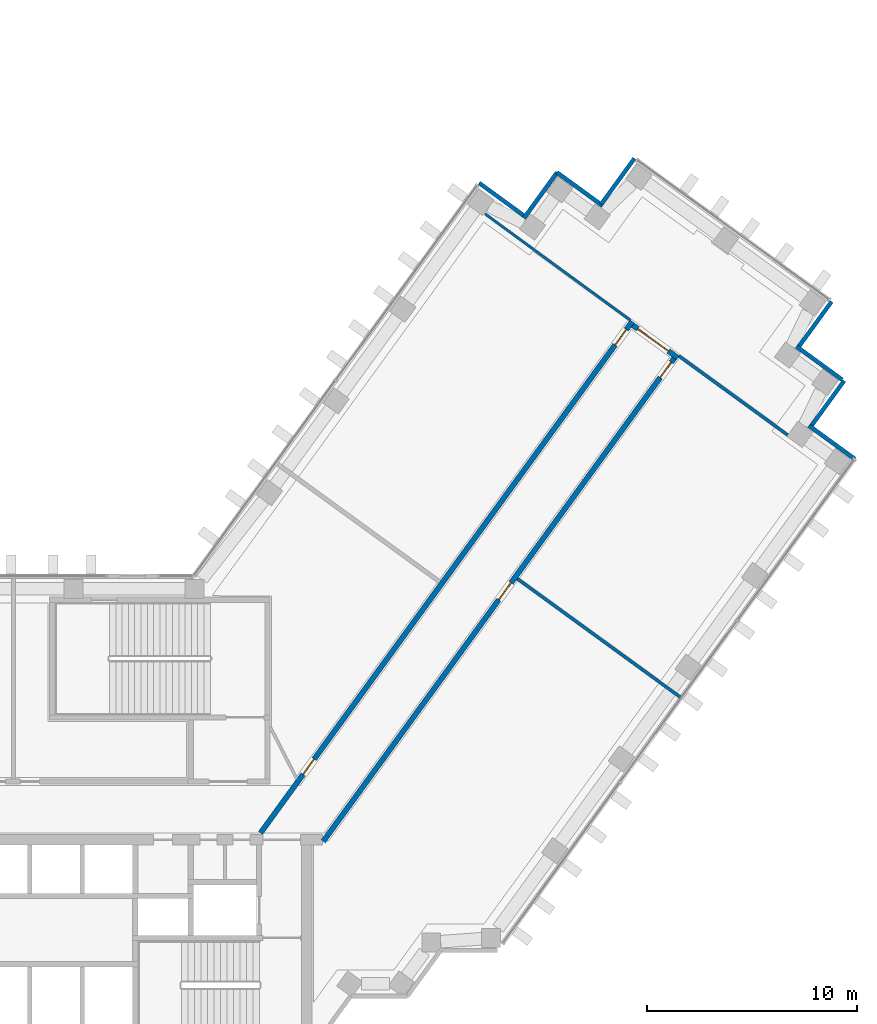
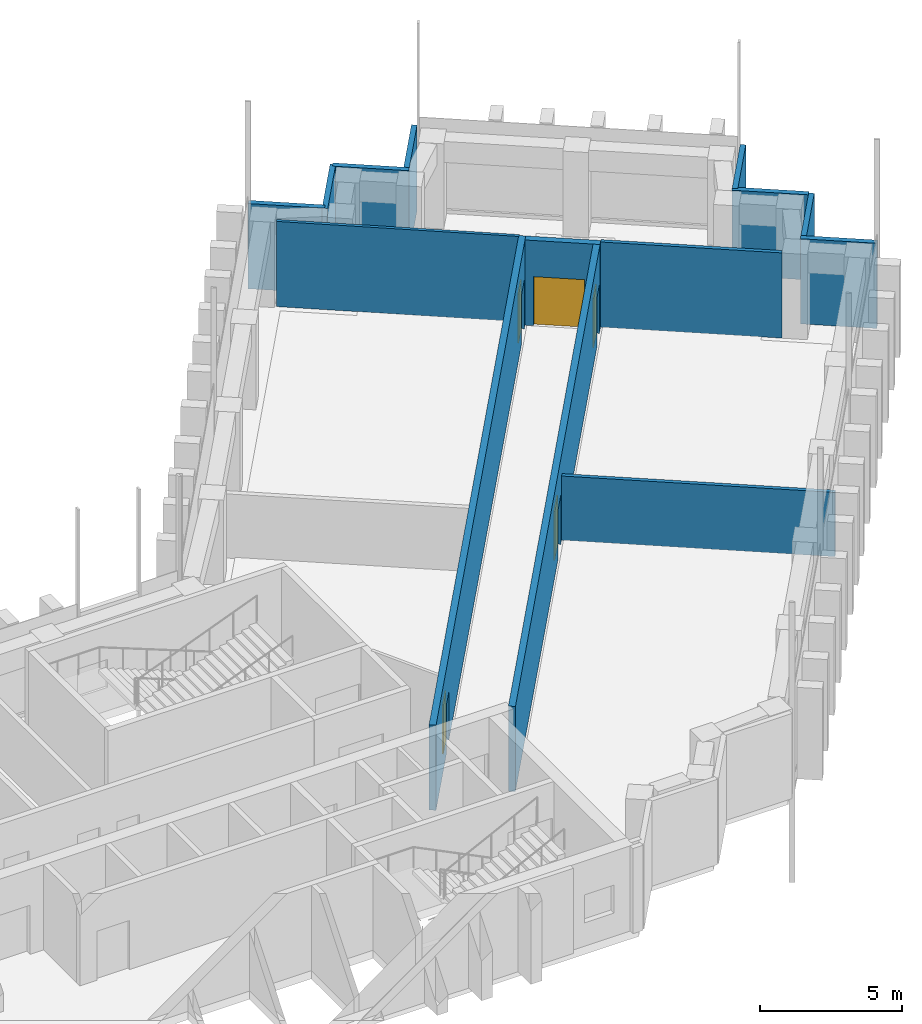
# One storey, part 13 of 16: 14 walls, 5 doors, 5 openings.
"""IFC4 building model written with IfcOpenShell, lengths in metres."""

from ifc_helpers import new_model, si_unit, direction, frame, frame_2d, origin, place, context, subcontext, project, spatial, rectangle, extrude, material, layer, layer_set, type_object, element, fill, save


model = new_model("IFC4")

# Units and contexts
model_context = context("Model", 3, precision=1e-05, world=origin(), true_north=direction((0.0, 1.0)))
body_context = subcontext(model_context, "Body", "Model", "MODEL_VIEW")
ifc_project = project(units=[si_unit("LENGTHUNIT", "METRE"), si_unit("AREAUNIT", "SQUARE_METRE"), si_unit("VOLUMEUNIT", "CUBIC_METRE"), si_unit("PLANEANGLEUNIT", "RADIAN"), si_unit("MASSUNIT", "GRAM", prefix="KILO")], contexts=[model_context])

# Site, building, storey
site_placement = place(None, origin())
site = spatial("IfcSite", under=ifc_project, at=site_placement, CompositionType="ELEMENT")
building_placement = place(site_placement, origin())
building = spatial("IfcBuilding", under=site, at=building_placement, Name="Quipu Civic Tower", CompositionType="ELEMENT")
storey_placement = place(building_placement, frame((0.0, 0.0, 125.0)))
storey = spatial("IfcBuildingStorey", under=building, at=storey_placement, Name="L29", CompositionType="ELEMENT", Elevation=125.0)

# Walls
ifc_material_1 = material(Name="Double gypsum plasterboard with mineral wool")
ifc_layer_1 = layer(ifc_material_1, 0.14990234375)
ifc_layer_set_1 = layer_set([ifc_layer_1], Name="Double gypsum plasterboard with mineral wool")
wall_type_1 = type_object("IfcWallType", Name="Acoustic partition 150 plasterboard", PredefinedType="PARTITIONING", material=ifc_layer_set_1)
wall_1_placement = place(storey_placement, frame((37.577392578125, 5.30712890625, 0.0), z_axis=(0.0, 0.0, 1.0), x_axis=(-0.809032429128, 0.587764007591, 0.0)))
element("IfcWall", 1, at=wall_1_placement, inside=storey, type_object=wall_type_1, Name="Partition P03", PredefinedType="PARTITIONING", context=body_context, shape_type="SweptSolid", body=[
    extrude(rectangle(XDim=9.651123046875, YDim=0.14990234375, at=frame_2d((4.82568359375, 0.0))), origin(), (0.0, 0.0, 1.0), 2.75),
])
wall_2_placement = place(storey_placement, frame((42.6455078125, 17.822998046875, 0.0), z_axis=(0.0, 0.0, 1.0), x_axis=(-0.80900675786, 0.587799341388, 0.0)))
element("IfcWall", 2, at=wall_2_placement, inside=storey, type_object=wall_type_1, Name="Partition P06", PredefinedType="PARTITIONING", context=body_context, shape_type="SweptSolid", body=[
    extrude(rectangle(XDim=6.394775390625, YDim=0.14990234375, at=frame_2d((3.197265625, 0.0))), origin(), (0.0, 0.0, 1.0), 3.64990234375),
])

# Wall, openings, doors
ifc_material_2 = material(Name="Concrete C50/60", Category="concrete")
ifc_layer_2 = layer(ifc_material_2, 0.25)
ifc_layer_set_2 = layer_set([ifc_layer_2], Name="Concrete C50/60")
wall_type_2 = type_object("IfcWallType", Name="Corridor wall 250 concrete", PredefinedType="SOLIDWALL", material=ifc_layer_set_2)
wall_3_placement = place(storey_placement, frame((17.544921875, -1.124755859375, 0.0), z_axis=(0.0, 0.0, 1.0), x_axis=(0.587786330937, 0.809016210693, 0.0)))
wall_3 = element("IfcWall", 3, at=wall_3_placement, inside=storey, type_object=wall_type_2, Name="Corridor wall C05", PredefinedType="SOLIDWALL", context=body_context, shape_type="SweptSolid", body=[
    extrude(rectangle(XDim=30.10302734375, YDim=0.25, at=frame_2d((15.051513671875, 0.0))), origin(), (0.0, 0.0, 1.0), 3.64990234375),
])
opening_1_placement = place(wall_3_placement, frame((3.44140625, 0.0, 0.0)))
opening_1 = element("IfcOpeningElement", 4, at=opening_1_placement, cuts=wall_3, Name="Opening D001", PredefinedType="OPENING", context=body_context, shape_type="SweptSolid", body=[
    extrude(rectangle(XDim=0.89990234375, YDim=2.10009765625, at=frame_2d((0.449951171875, 1.050048828125))), frame((0.0, 0.135009765625, 0.0), z_axis=(0.0, -1.0, 0.0), x_axis=(1.0, 0.0, 0.0)), (0.0, 0.0, 1.0), 0.27001953125),
])
opening_2_placement = place(wall_3_placement, frame((28.72900390625, 0.0, 0.0)))
opening_2 = element("IfcOpeningElement", 5, at=opening_2_placement, cuts=wall_3, Name="Opening D002", PredefinedType="OPENING", context=body_context, shape_type="SweptSolid", body=[
    extrude(rectangle(XDim=0.89990234375, YDim=2.10009765625, at=frame_2d((0.449951171875, 1.050048828125))), frame((0.0, 0.135009765625, 0.0), z_axis=(0.0, -1.0, 0.0), x_axis=(1.0, 0.0, 0.0)), (0.0, 0.0, 1.0), 0.27001953125),
])
ifc_material_3 = material(Name="Fire rated timber door set with metal frame", Category="wood")
door_type_1 = type_object("IfcDoorType", Name="Single door 900 x 2100 FD60", OperationType="NOTDEFINED", PredefinedType="DOOR", material=ifc_material_3)
door_1_placement = place(opening_1_placement, origin())
door_1 = element("IfcDoor", 6, at=door_1_placement, inside=storey, type_object=door_type_1, Name="Door D001", OperationType="SINGLE_SWING_LEFT", OverallHeight=2.10009765625, OverallWidth=0.89990234375, PredefinedType="DOOR", context=body_context, shape_type="SweptSolid", body=[
    extrude(rectangle(XDim=0.89990234375, YDim=2.10009765625, at=frame_2d((0.449951171875, 1.050048828125))), frame((0.0, 0.02490234375, 0.0), z_axis=(0.0, -1.0, 0.0), x_axis=(1.0, 0.0, 0.0)), (0.0, 0.0, 1.0), 0.050048828125),
])
fill(opening_1, door_1)
door_2_placement = place(opening_2_placement, origin())
door_2 = element("IfcDoor", 7, at=door_2_placement, inside=storey, type_object=door_type_1, Name="Door D002", OperationType="SINGLE_SWING_RIGHT", OverallHeight=2.10009765625, OverallWidth=0.89990234375, PredefinedType="DOOR", context=body_context, shape_type="SweptSolid", body=[
    extrude(rectangle(XDim=0.89990234375, YDim=2.10009765625, at=frame_2d((0.449951171875, 1.050048828125))), frame((0.0, 0.02490234375, 0.0), z_axis=(0.0, -1.0, 0.0), x_axis=(1.0, 0.0, 0.0)), (0.0, 0.0, 1.0), 0.050048828125),
])
fill(opening_2, door_2)

# Wall, opening, door
wall_4_placement = place(storey_placement, frame((35.2666015625, 23.054443359375, 0.0), z_axis=(0.0, 0.0, 1.0), x_axis=(0.809038743598, -0.587755315891, 0.0)))
wall_4 = element("IfcWall", 8, at=wall_4_placement, inside=storey, type_object=wall_type_2, Name="Corridor wall C06", PredefinedType="SOLIDWALL", context=body_context, shape_type="SweptSolid", body=[
    extrude(rectangle(XDim=2.650146484375, YDim=0.25, at=frame_2d((1.3251953125, 0.0))), origin(), (0.0, 0.0, 1.0), 3.64990234375),
])
opening_3_placement = place(wall_4_placement, frame((0.300048828125, 0.0, 0.0)))
opening_3 = element("IfcOpeningElement", 9, at=opening_3_placement, cuts=wall_4, Name="Opening D005", PredefinedType="OPENING", context=body_context, shape_type="SweptSolid", body=[
    extrude(rectangle(XDim=1.800048828125, YDim=2.10009765625, at=frame_2d((0.89990234375, 1.050048828125))), frame((0.0, 0.135009765625, 0.0), z_axis=(0.0, -1.0, 0.0), x_axis=(1.0, 0.0, 0.0)), (0.0, 0.0, 1.0), 0.27001953125),
])
ifc_material_4 = material(Name="Fire rated timber door set with metal frame", Category="wood")
door_type_2 = type_object("IfcDoorType", Name="Double door 1800 x 2100 FD60", OperationType="DOUBLE_DOOR_SINGLE_SWING", PredefinedType="DOOR", material=ifc_material_4)
door_3_placement = place(opening_3_placement, origin())
door_3 = element("IfcDoor", 10, at=door_3_placement, inside=storey, type_object=door_type_2, Name="Door D005", OperationType="DOUBLE_DOOR_SINGLE_SWING", OverallHeight=2.10009765625, OverallWidth=1.800048828125, PredefinedType="DOOR", context=body_context, shape_type="SweptSolid", body=[
    extrude(rectangle(XDim=1.800048828125, YDim=2.10009765625, at=frame_2d((0.89990234375, 1.050048828125))), frame((0.0, 0.02490234375, 0.0), z_axis=(0.0, -1.0, 0.0), x_axis=(1.0, 0.0, 0.0)), (0.0, 0.0, 1.0), 0.050048828125),
])
fill(opening_3, door_3)

# Wall, openings, doors
wall_5_placement = place(storey_placement, frame((37.236083984375, 21.46923828125, 0.0), z_axis=(0.0, 0.0, 1.0), x_axis=(-0.58778344073, -0.809018310549, 0.0)))
wall_5 = element("IfcWall", 11, at=wall_5_placement, inside=storey, type_object=wall_type_2, Name="Corridor wall C07", PredefinedType="SOLIDWALL", context=body_context, shape_type="SweptSolid", body=[
    extrude(rectangle(XDim=28.42041015625, YDim=0.25, at=frame_2d((14.210205078125, 0.0))), origin(), (0.0, 0.0, 1.0), 3.64990234375),
])
opening_4_placement = place(wall_5_placement, frame((13.204833984375, 0.0, 0.0)))
opening_4 = element("IfcOpeningElement", 12, at=opening_4_placement, cuts=wall_5, Name="Opening D003", PredefinedType="OPENING", context=body_context, shape_type="SweptSolid", body=[
    extrude(rectangle(XDim=1.0, YDim=2.10009765625, at=frame_2d((0.5, 1.050048828125))), frame((0.0, 0.135009765625, 0.0), z_axis=(0.0, -1.0, 0.0), x_axis=(1.0, 0.0, 0.0)), (0.0, 0.0, 1.0), 0.27001953125),
])
opening_5_placement = place(wall_5_placement, frame((0.224365234375, 0.0, 0.0)))
opening_5 = element("IfcOpeningElement", 13, at=opening_5_placement, cuts=wall_5, Name="Opening D004", PredefinedType="OPENING", context=body_context, shape_type="SweptSolid", body=[
    extrude(rectangle(XDim=0.89990234375, YDim=2.10009765625, at=frame_2d((0.449951171875, 1.050048828125))), frame((0.0, 0.135009765625, 0.0), z_axis=(0.0, -1.0, 0.0), x_axis=(1.0, 0.0, 0.0)), (0.0, 0.0, 1.0), 0.27001953125),
])
ifc_material_5 = material(Name="Fire rated timber door set with metal frame", Category="wood")
door_type_3 = type_object("IfcDoorType", Name="Single door 1000 x 2100 FD60", OperationType="NOTDEFINED", PredefinedType="DOOR", material=ifc_material_5)
door_4_placement = place(opening_4_placement, origin())
door_4 = element("IfcDoor", 14, at=door_4_placement, inside=storey, type_object=door_type_3, Name="Door D003", OperationType="SINGLE_SWING_LEFT", OverallHeight=2.10009765625, OverallWidth=1.0, PredefinedType="DOOR", context=body_context, shape_type="SweptSolid", body=[
    extrude(rectangle(XDim=1.0, YDim=2.10009765625, at=frame_2d((0.5, 1.050048828125))), frame((0.0, 0.02490234375, 0.0), z_axis=(0.0, -1.0, 0.0), x_axis=(1.0, 0.0, 0.0)), (0.0, 0.0, 1.0), 0.050048828125),
])
fill(opening_4, door_4)
door_5_placement = place(opening_5_placement, origin())
door_5 = element("IfcDoor", 15, at=door_5_placement, inside=storey, type_object=door_type_1, Name="Door D004", OperationType="SINGLE_SWING_LEFT", OverallHeight=2.10009765625, OverallWidth=0.89990234375, PredefinedType="DOOR", context=body_context, shape_type="SweptSolid", body=[
    extrude(rectangle(XDim=0.89990234375, YDim=2.10009765625, at=frame_2d((0.449951171875, 1.050048828125))), frame((0.0, 0.02490234375, 0.0), z_axis=(0.0, -1.0, 0.0), x_axis=(1.0, 0.0, 0.0)), (0.0, 0.0, 1.0), 0.050048828125),
])
fill(opening_5, door_5)

# Walls
ifc_material_6 = material(Name="Gypsum plasterboard on light gauge framing")
ifc_layer_3 = layer(ifc_material_6, 0.1201171875)
ifc_layer_set_3 = layer_set([ifc_layer_3], Name="Gypsum plasterboard on light gauge framing")
wall_type_3 = type_object("IfcWallType", Name="Partition 120 plasterboard", PredefinedType="PARTITIONING", material=ifc_layer_set_3)
wall_6_placement = place(storey_placement, frame((28.23828125, 28.351806640625, 0.0), z_axis=(0.0, 0.0, 1.0), x_axis=(0.806980651863, -0.590577875913, 0.0)))
element("IfcWall", 16, at=wall_6_placement, inside=storey, type_object=wall_type_3, Name="Partition P07", PredefinedType="PARTITIONING", context=body_context, shape_type="SweptSolid", body=[
    extrude(rectangle(XDim=8.569580078125, YDim=0.1201171875, at=frame_2d((4.28466796875, 0.0))), origin(), (0.0, 0.0, 1.0), 3.64990234375),
])
ifc_material_7 = material(Name="Precast concrete C40/50", Category="concrete")
wall_type_4 = type_object("IfcWallType", Name="Precast cladding wall", PredefinedType="SOLIDWALL", material=ifc_material_7)
for number, where, z_axis, x_axis, name in (
    (17, (45.84228515625, 16.6845703125, 0.0), (0.0, 0.0, 1.0), (-0.808958916286, 0.58786518162, 0.0), "Precast cladding wall L29 P01"),
    (18, (43.74609375, 18.22265625, 0.0), (0.0, 0.0, 1.0), (0.587762999008, 0.809033161865, 0.0), "Precast cladding wall L29 P02"),
    (19, (45.2451171875, 20.4560546875, 0.0), (0.0, 0.0, 1.0), (-0.809033161865, 0.587762999008, 0.0), "Precast cladding wall L29 P03"),
    (20, (43.148681640625, 21.993896484375, 0.0), (0.0, 0.0, 1.0), (0.587822180636, 0.808990163075, 0.0), "Precast cladding wall L29 P28"),
    (21, (35.351318359375, 30.99658203125, 0.0), (0.0, 0.0, 1.0), (-0.587822180636, -0.808990163075, 0.0), "Precast cladding wall L29 P30"),
    (22, (33.837890625, 28.743896484375, 0.0), (0.0, 0.0, 1.0), (-0.809033161865, 0.587762999008, 0.0), "Precast cladding wall L29 P31"),
    (23, (31.67041015625, 30.33349609375, 0.0), (0.0, 0.0, 1.0), (-0.587762999008, -0.809033161865, 0.0), "Precast cladding wall L29 P32"),
    (24, (30.132568359375, 28.237060546875, 0.0), (0.0, 0.0, 1.0), (-0.808990163075, 0.587822180636, 0.0), "Precast cladding wall L29 P33"),
):
    element("IfcWall", number, at=place(storey_placement, frame(where, z_axis=z_axis, x_axis=x_axis)), inside=storey, type_object=wall_type_4, Name=name, PredefinedType="SOLIDWALL", context=body_context, shape_type="SweptSolid", body=[
        extrude(rectangle(XDim=2.699951171875, YDim=0.199951171875, at=frame_2d((1.35009765625, 0.0))), origin(), (0.0, 0.0, 1.0), 3.64990234375),
    ])

save(model, "model.ifc")
